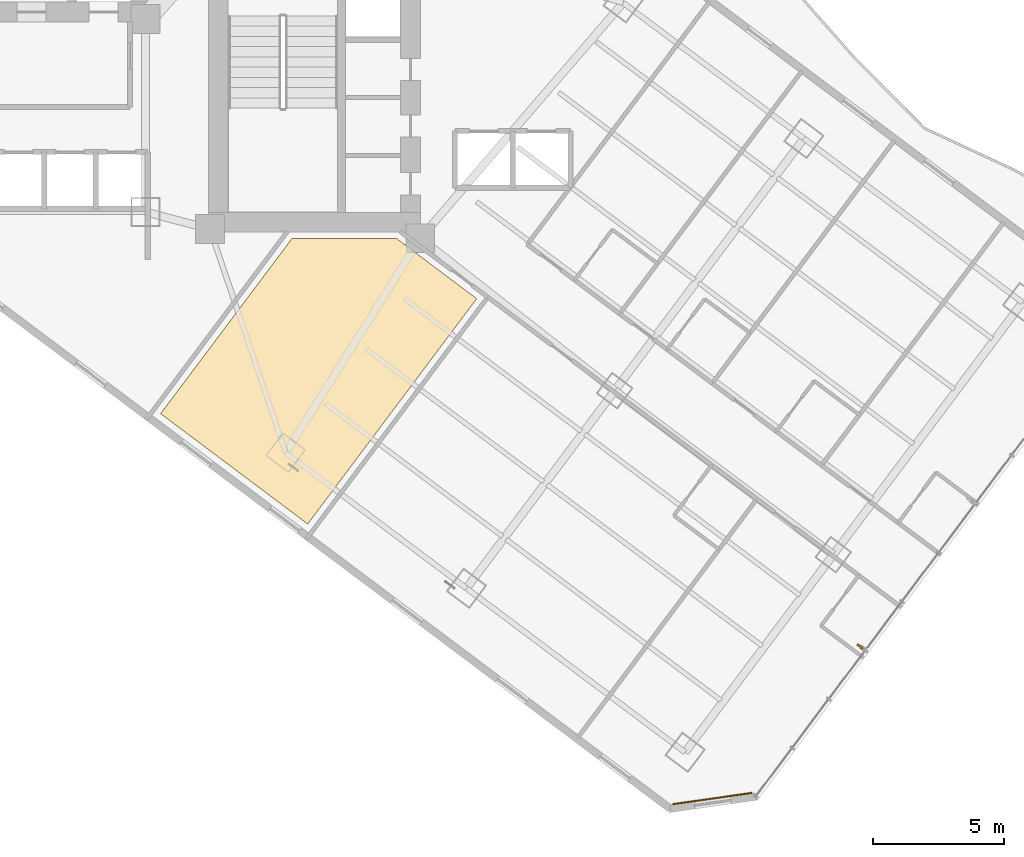
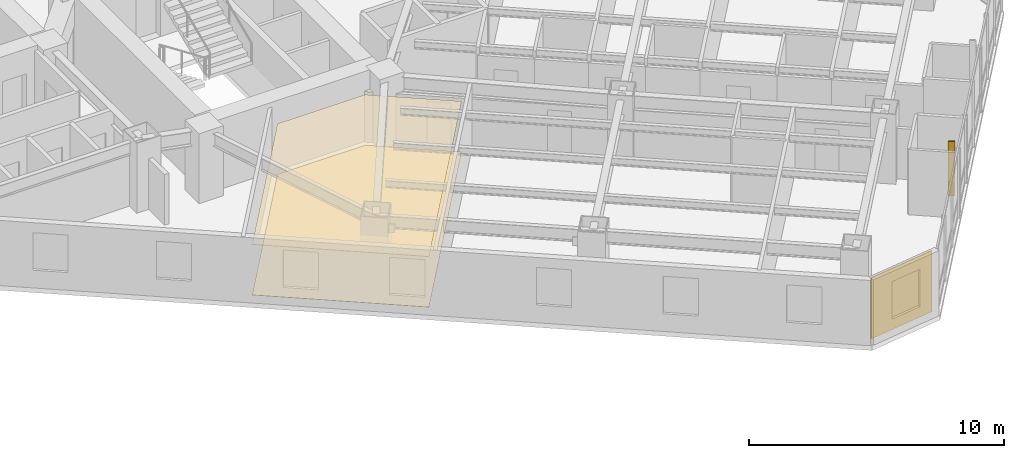
# One storey, part 33 of 38: 3 coverings, 1 shading device.
"""IFC4 building model written with IfcOpenShell, lengths in metres."""

from ifc_helpers import new_model, si_unit, direction, frame, origin, origin_2d, place, context, subcontext, project, spatial, polyline, rectangle, outline, extrude, material, layer, layer_set, type_object, element, save


model = new_model("IFC4")

# Units and contexts
model_context = context("Model", 3, precision=1e-05, world=origin(), true_north=direction((0.0, 1.0)))
body_context = subcontext(model_context, "Body", "Model", "MODEL_VIEW")
ifc_project = project(units=[si_unit("LENGTHUNIT", "METRE"), si_unit("AREAUNIT", "SQUARE_METRE"), si_unit("VOLUMEUNIT", "CUBIC_METRE"), si_unit("PLANEANGLEUNIT", "RADIAN"), si_unit("MASSUNIT", "GRAM", prefix="KILO")], contexts=[model_context])

# Site, building, storey
site_placement = place(None, origin())
site = spatial("IfcSite", under=ifc_project, at=site_placement, CompositionType="ELEMENT")
building_placement = place(site_placement, origin())
building = spatial("IfcBuilding", under=site, at=building_placement, Name="Hatsunagi Terrace Concourse", CompositionType="ELEMENT")
storey_placement = place(building_placement, frame((0.0, 0.0, 60.050048828125)))
storey = spatial("IfcBuildingStorey", under=building, at=storey_placement, Name="L15", CompositionType="ELEMENT", Elevation=60.050048828125)

# Coverings
ifc_material_1 = material(Name="Acoustic mineral board", Category="gypsum")
ifc_layer_1 = layer(ifc_material_1, 0.02001953125)
ifc_layer_set_1 = layer_set([ifc_layer_1], Name="AcousticMineralCeiling_20")
covering_type_1 = type_object("IfcCoveringType", Name="AcousticMineralCeiling_20", PredefinedType="CEILING", material=ifc_layer_set_1)
covering_1_placement = place(storey_placement, frame((0.0, 0.0, 2.419921875)))
element("IfcCovering", 1, at=covering_1_placement, inside=storey, type_object=covering_type_1, Name="Suspended Ceiling L15-1", PredefinedType="CEILING", context=body_context, shape_type="SweptSolid", body=[
    extrude(outline(polyline([(39.51806640625, 13.323974609375), (45.949951171875, 21.89990234375), (42.89697265625, 24.18994140625), (38.9169921875, 24.18994140625), (33.91796875, 17.52392578125), (39.51806640625, 13.323974609375)])), origin(), (0.0, 0.0, 1.0), 0.02001953125),
])
ifc_material_2 = material(Name="Hardwood timber", Category="wood")
ifc_layer_2 = layer(ifc_material_2, 0.014892578125)
ifc_layer_set_2 = layer_set([ifc_layer_2], Name="HardwoodTimberFlooring_15")
covering_type_2 = type_object("IfcCoveringType", Name="HardwoodTimberFlooring_15", PredefinedType="FLOORING", material=ifc_layer_set_2)
covering_2_placement = place(storey_placement, origin())
element("IfcCovering", 2, at=covering_2_placement, inside=storey, type_object=covering_type_2, Name="Finished Flooring L15-1", PredefinedType="FLOORING", context=body_context, shape_type="SweptSolid", body=[
    extrude(outline(polyline([(39.51806640625, 13.323974609375), (45.949951171875, 21.89990234375), (42.89697265625, 24.18994140625), (38.9169921875, 24.18994140625), (33.91796875, 17.52392578125), (39.51806640625, 13.323974609375)])), origin(), (0.0, 0.0, 1.0), 0.014892578125),
])

# Shading device
ifc_material_3 = material(Name="Extruded Unglazed Terracotta Baguette", Category="masonry")
shading_device_type = type_object("IfcShadingDeviceType", Name="TerracottaFinScreen_260x70", PredefinedType="USERDEFINED", material=ifc_material_3)
shading_device_placement = place(storey_placement, frame((60.5400390625, 8.6689453125, 0.849853515625), z_axis=(0.0, 0.0, 1.0), x_axis=(-0.599969314634, -0.800023013105, 0.0)))
element("IfcShadingDevice", 3, at=shading_device_placement, inside=storey, type_object=shading_device_type, Name="Terracotta Baguette Fin Screen SCR-01", ObjectType="SUNSHADE", PredefinedType="USERDEFINED", context=body_context, shape_type="SweptSolid", body=[
    extrude(rectangle(XDim=0.070068359375, YDim=0.260009765625, at=origin_2d()), origin(), (0.0, 0.0, 1.0), 2.60009765625),
])

# Covering
ifc_material_4 = material(Name="Unglazed Warm Terracotta Rainscreen Tile", Category="masonry")
ifc_layer_3 = layer(ifc_material_4, 0.044921875)
ifc_layer_set_3 = layer_set([ifc_layer_3], Name="TerracottaRainscreenCladding_45")
covering_type_3 = type_object("IfcCoveringType", Name="TerracottaRainscreenCladding_45", PredefinedType="CLADDING", material=ifc_layer_set_3)
covering_3_placement = place(storey_placement, frame((54.91796875, 2.87890625, 0.10009765625), z_axis=(0.0, 0.0, 1.0), x_axis=(-0.989973920543, -0.141250262458, 0.0)))
element("IfcCovering", 4, at=covering_3_placement, inside=storey, type_object=covering_type_3, Name="Terracotta Rainscreen Cladding L15-04", PredefinedType="CLADDING", context=body_context, shape_type="SweptSolid", body=[
    extrude(rectangle(XDim=3.0380859375, YDim=0.044921875, at=origin_2d()), origin(), (0.0, 0.0, 1.0), 2.929931640625),
])

save(model, "model.ifc")
